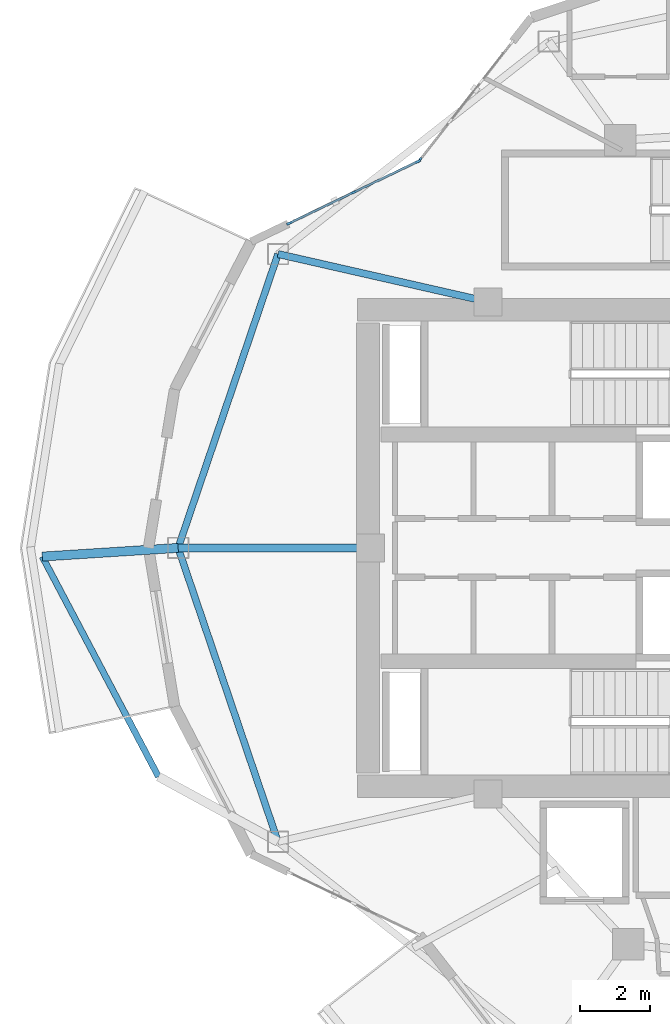
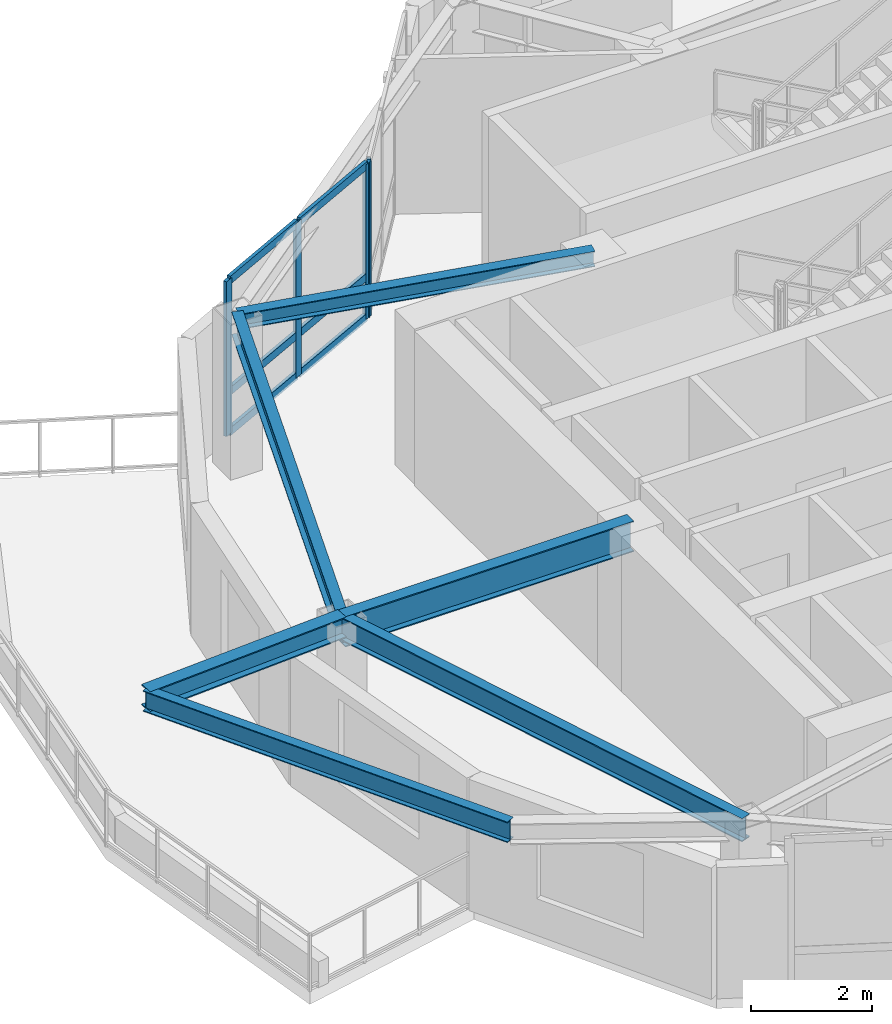
# One storey, part 3 of 13: 10 members, 6 beams, 2 elements without a shape of their own.
"""IFC4 building model written with IfcOpenShell, lengths in metres."""

from ifc_helpers import new_model, si_unit, direction, frame, origin, origin_2d, place, context, subcontext, project, spatial, rectangle, i_section, extrude, material, layer, layer_set, material_profile, profile_set, type_object, element, aggregate, save


model = new_model("IFC4")

# Units and contexts
model_context = context("Model", 3, precision=1e-05, world=origin(), true_north=direction((0.0, 1.0)))
body_context = subcontext(model_context, "Body", "Model", "MODEL_VIEW")
ifc_project = project(units=[si_unit("LENGTHUNIT", "METRE"), si_unit("AREAUNIT", "SQUARE_METRE"), si_unit("VOLUMEUNIT", "CUBIC_METRE"), si_unit("PLANEANGLEUNIT", "RADIAN"), si_unit("MASSUNIT", "GRAM", prefix="KILO")], contexts=[model_context])

# Site, building, storey
site_placement = place(None, origin())
site = spatial("IfcSite", under=ifc_project, at=site_placement, CompositionType="ELEMENT")
building_placement = place(site_placement, origin())
building = spatial("IfcBuilding", under=site, at=building_placement, Name="Kolvaren Gate Tower and Convention Centre", CompositionType="ELEMENT")
storey_placement = place(building_placement, frame((0.0, 0.0, 156.300048828125)))
storey = spatial("IfcBuildingStorey", under=building, at=storey_placement, Name="L40", CompositionType="ELEMENT", Elevation=156.300048828125)

# Curtain wall, member
ifc_material_1 = material(Name="Anodized Architectural Aluminium Alloy 6063-T6", Category="aluminium")
ifc_layer = layer(ifc_material_1, 0.159912109375)
ifc_layer_set = layer_set([ifc_layer], Name="Anodized Architectural Aluminium Alloy 6063-T6")
curtain_wall_type = type_object("IfcCurtainWallType", Name="CW-HTL-UNIT", PredefinedType="NOTDEFINED", material=ifc_layer_set)
curtain_wall_1_placement = place(storey_placement, origin())
curtain_wall_1 = element("IfcCurtainWall", 1, at=curtain_wall_1_placement, inside=storey, type_object=curtain_wall_type, Name="Tower L40 Unitised Curtain Wall CW-HTL-UNIT Bay 08", PredefinedType="NOTDEFINED")
ifc_material_profile_1 = material_profile(ifc_material_1, rectangle(XDim=0.06494140625, YDim=0.159912109375, at=origin_2d()), Name="CW-MEM-MUL-160")
ifc_profile_set_1 = profile_set([ifc_material_profile_1], Name="Anodized Architectural Aluminium Alloy 6063-T6")
member_type_1 = type_object("IfcMemberType", Name="CW-MEM-MUL-160", PredefinedType="MULLION", material=ifc_profile_set_1)
member_1_placement = place(storey_placement, frame((15.95654296875, 38.111572265625, 0.0), z_axis=(0.0, 0.0, 1.0), x_axis=(-0.787394793807, 0.616449056034, 0.0)))
member_1 = element("IfcMember", 2, at=member_1_placement, type_object=member_type_1, Name="CW-03 mullion 1", PredefinedType="MULLION", context=body_context, shape_type="SweptSolid", body=[
    extrude(rectangle(XDim=0.06494140625, YDim=0.159912109375, at=origin_2d()), origin(), (0.0, 0.0, 1.0), 3.1298828125),
])
aggregate(curtain_wall_1, [member_1])

# Curtain wall, members
curtain_wall_2_placement = place(storey_placement, origin())
curtain_wall_2 = element("IfcCurtainWall", 3, at=curtain_wall_2_placement, inside=storey, type_object=curtain_wall_type, Name="Tower L40 Unitised Curtain Wall CW-HTL-UNIT Bay 09", PredefinedType="NOTDEFINED")
member_2_placement = place(storey_placement, frame((12.220458984375, 36.300537109375, 0.0), z_axis=(0.0, 0.0, 1.0), x_axis=(-0.433065112035, 0.901362639973, 0.0)))
member_2 = element("IfcMember", 4, at=member_2_placement, type_object=member_type_1, Name="CW-03 mullion 1", PredefinedType="MULLION", context=body_context, shape_type="SweptSolid", body=[
    extrude(rectangle(XDim=0.06494140625, YDim=0.159912109375, at=origin_2d()), origin(), (0.0, 0.0, 1.0), 3.1298828125),
])
member_3_placement = place(storey_placement, frame((14.063720703125, 37.186279296875, 0.0), z_axis=(0.0, 0.0, 1.0), x_axis=(-0.433065112035, 0.901362639973, 0.0)))
member_3 = element("IfcMember", 5, at=member_3_placement, type_object=member_type_1, Name="CW-03 mullion 2", PredefinedType="MULLION", context=body_context, shape_type="SweptSolid", body=[
    extrude(rectangle(XDim=0.06494140625, YDim=0.159912109375, at=origin_2d()), origin(), (0.0, 0.0, 1.0), 3.1298828125),
])
member_4_placement = place(storey_placement, frame((15.9072265625, 38.072021484375, 0.0), z_axis=(0.0, 0.0, 1.0), x_axis=(-0.433065112035, 0.901362639973, 0.0)))
member_4 = element("IfcMember", 6, at=member_4_placement, type_object=member_type_1, Name="CW-03 mullion 3", PredefinedType="MULLION", context=body_context, shape_type="SweptSolid", body=[
    extrude(rectangle(XDim=0.06494140625, YDim=0.159912109375, at=origin_2d()), origin(), (0.0, 0.0, 1.0), 3.1298828125),
])
ifc_material_profile_2 = material_profile(ifc_material_1, rectangle(XDim=0.06494140625, YDim=0.159912109375, at=origin_2d()), Name="CW-MEM-TRN-160")
ifc_profile_set_2 = profile_set([ifc_material_profile_2], Name="Anodized Architectural Aluminium Alloy 6063-T6")
member_type_2 = type_object("IfcMemberType", Name="CW-MEM-TRN-160", PredefinedType="USERDEFINED", material=ifc_profile_set_2)
member_5_placement = place(storey_placement, frame((12.249755859375, 36.314697265625, 0.032470703125), z_axis=(0.901369067985, 0.433051732799, 0.0), x_axis=(-0.433051732799, 0.901369067985, 0.0)))
member_5 = element("IfcMember", 7, at=member_5_placement, type_object=member_type_2, Name="CW-03 transom 1.1", ObjectType="TRANSOM", PredefinedType="USERDEFINED", context=body_context, shape_type="SweptSolid", body=[
    extrude(rectangle(XDim=0.06494140625, YDim=0.159912109375, at=origin_2d()), origin(), (0.0, 0.0, 1.0), 1.97998046875),
])
member_6_placement = place(storey_placement, frame((12.249755859375, 36.314697265625, 0.849853515625), z_axis=(0.901369067985, 0.433051732799, 0.0), x_axis=(-0.433051732799, 0.901369067985, 0.0)))
member_6 = element("IfcMember", 8, at=member_6_placement, type_object=member_type_2, Name="CW-03 transom 1.2", ObjectType="TRANSOM", PredefinedType="USERDEFINED", context=body_context, shape_type="SweptSolid", body=[
    extrude(rectangle(XDim=0.06494140625, YDim=0.159912109375, at=origin_2d()), origin(), (0.0, 0.0, 1.0), 1.97998046875),
])
member_7_placement = place(storey_placement, frame((12.249755859375, 36.314697265625, 3.097412109375), z_axis=(0.901369067985, 0.433051732799, 0.0), x_axis=(-0.433051732799, 0.901369067985, 0.0)))
member_7 = element("IfcMember", 9, at=member_7_placement, type_object=member_type_2, Name="CW-03 transom 1.3", ObjectType="TRANSOM", PredefinedType="USERDEFINED", context=body_context, shape_type="SweptSolid", body=[
    extrude(rectangle(XDim=0.06494140625, YDim=0.159912109375, at=origin_2d()), origin(), (0.0, 0.0, 1.0), 1.97998046875),
])
member_8_placement = place(storey_placement, frame((14.093017578125, 37.200439453125, 0.032470703125), z_axis=(0.90139218823, 0.433003606218, 0.0), x_axis=(-0.433003606218, 0.90139218823, 0.0)))
member_8 = element("IfcMember", 10, at=member_8_placement, type_object=member_type_2, Name="CW-03 transom 2.1", ObjectType="TRANSOM", PredefinedType="USERDEFINED", context=body_context, shape_type="SweptSolid", body=[
    extrude(rectangle(XDim=0.06494140625, YDim=0.159912109375, at=origin_2d()), origin(), (0.0, 0.0, 1.0), 1.980224609375),
])
member_9_placement = place(storey_placement, frame((14.093017578125, 37.200439453125, 0.849853515625), z_axis=(0.90139218823, 0.433003606218, 0.0), x_axis=(-0.433003606218, 0.90139218823, 0.0)))
member_9 = element("IfcMember", 11, at=member_9_placement, type_object=member_type_2, Name="CW-03 transom 2.2", ObjectType="TRANSOM", PredefinedType="USERDEFINED", context=body_context, shape_type="SweptSolid", body=[
    extrude(rectangle(XDim=0.06494140625, YDim=0.159912109375, at=origin_2d()), origin(), (0.0, 0.0, 1.0), 1.980224609375),
])
member_10_placement = place(storey_placement, frame((14.093017578125, 37.200439453125, 3.097412109375), z_axis=(0.90139218823, 0.433003606218, 0.0), x_axis=(-0.433003606218, 0.90139218823, 0.0)))
member_10 = element("IfcMember", 12, at=member_10_placement, type_object=member_type_2, Name="CW-03 transom 2.3", ObjectType="TRANSOM", PredefinedType="USERDEFINED", context=body_context, shape_type="SweptSolid", body=[
    extrude(rectangle(XDim=0.06494140625, YDim=0.159912109375, at=origin_2d()), origin(), (0.0, 0.0, 1.0), 1.980224609375),
])
aggregate(curtain_wall_2, [member_2, member_3, member_4, member_5, member_6, member_7, member_8, member_9, member_10])

# Beams
ifc_material_2 = material(Name="Structural steel ASTM A992 Grade 345 MPa", Category="steel")
ifc_material_profile_3 = material_profile(ifc_material_2, i_section(OverallWidth=0.260009765625, OverallDepth=0.419921875, WebThickness=0.013427734375, FlangeThickness=0.0224609375, at=origin_2d()), Name="W410X132")
ifc_profile_set_3 = profile_set([ifc_material_profile_3], Name="Structural steel ASTM A992 Grade 345 MPa")
beam_type_1 = type_object("IfcBeamType", Name="STR-BM-W410X132", PredefinedType="BEAM", material=ifc_profile_set_3)
beam_1_placement = place(storey_placement, frame((9.03759765625, 27.0, 2.92041015625), z_axis=(-0.997967389097, -0.063726684362, 0.0), x_axis=(0.063726684362, -0.997967389097, 0.0)))
element("IfcBeam", 13, at=beam_1_placement, inside=storey, type_object=beam_type_1, Name="Tower L41 Planted Balcony Outrigger Cantilever BC-2A", PredefinedType="BEAM", context=body_context, shape_type="SweptSolid", body=[
    extrude(i_section(OverallWidth=0.260009765625, OverallDepth=0.419921875, WebThickness=0.013427734375, FlangeThickness=0.0224609375, at=origin_2d()), origin(), (0.0, 0.0, 1.0), 3.89990234375),
])
ifc_material_profile_4 = material_profile(ifc_material_2, i_section(OverallWidth=0.22998046875, OverallDepth=0.616943359375, WebThickness=0.01318359375, FlangeThickness=0.022216796875, at=origin_2d()), Name="W610X140")
ifc_profile_set_4 = profile_set([ifc_material_profile_4], Name="Structural steel ASTM A992 Grade 345 MPa")
beam_type_2 = type_object("IfcBeamType", Name="STR-BM-W610X140", PredefinedType="BEAM", material=ifc_profile_set_4)
beam_2_placement = place(storey_placement, frame((14.550048828125, 27.0, 2.821533203125), z_axis=(-1.0, 0.0, 0.0), x_axis=(0.0, -1.0, 0.0)))
element("IfcBeam", 14, at=beam_2_placement, inside=storey, type_object=beam_type_2, Name="Tower L40 Radial Floor Girder RB-07", PredefinedType="BEAM", context=body_context, shape_type="SweptSolid", body=[
    extrude(i_section(OverallWidth=0.22998046875, OverallDepth=0.616943359375, WebThickness=0.01318359375, FlangeThickness=0.022216796875, at=origin_2d()), origin(), (0.0, 0.0, 1.0), 5.512451171875),
])
ifc_material_profile_5 = material_profile(ifc_material_2, i_section(OverallWidth=0.205078125, OverallDepth=0.31005859375, WebThickness=0.009521484375, FlangeThickness=0.016357421875, at=origin_2d()), Name="W310X74")
ifc_profile_set_5 = profile_set([ifc_material_profile_5], Name="Structural steel ASTM A992 Grade 345 MPa")
beam_type_3 = type_object("IfcBeamType", Name="STR-JS-W310X74", PredefinedType="JOIST", material=ifc_profile_set_5)
beam_3_placement = place(storey_placement, frame((17.9140625, 34.050048828125, 2.974853515625), z_axis=(-0.975083464295, 0.221838314226, 0.0), x_axis=(-0.221838314226, -0.975083464295, 0.0)))
element("IfcBeam", 15, at=beam_3_placement, inside=storey, type_object=beam_type_3, Name="Tower L40 Radial Floor Girder RB-06", PredefinedType="JOIST", context=body_context, shape_type="SweptSolid", body=[
    extrude(i_section(OverallWidth=0.205078125, OverallDepth=0.31005859375, WebThickness=0.009521484375, FlangeThickness=0.016357421875, at=origin_2d()), origin(), (0.0, 0.0, 1.0), 6.169677734375),
])
ifc_material_profile_6 = material_profile(ifc_material_2, i_section(OverallWidth=0.180908203125, OverallDepth=0.4169921875, WebThickness=0.010986328125, FlangeThickness=0.018310546875, at=origin_2d()), Name="W410X85")
ifc_profile_set_6 = profile_set([ifc_material_profile_6], Name="Structural steel ASTM A992 Grade 345 MPa")
beam_type_4 = type_object("IfcBeamType", Name="STR-SP-W410X85", PredefinedType="SPANDREL", material=ifc_profile_set_6)
beam_4_placement = place(storey_placement, frame((5.1455078125, 26.75146484375, 2.921875), z_axis=(0.466803260322, -0.884361191003, 0.0), x_axis=(0.884361191003, 0.466803260322, 0.0)))
element("IfcBeam", 16, at=beam_4_placement, inside=storey, type_object=beam_type_4, Name="Tower L41 Planted Balcony Header Tie Beam BT-2", PredefinedType="SPANDREL", context=body_context, shape_type="SweptSolid", body=[
    extrude(i_section(OverallWidth=0.180908203125, OverallDepth=0.4169921875, WebThickness=0.010986328125, FlangeThickness=0.018310546875, at=origin_2d()), origin(), (0.0, 0.0, 1.0), 7.129150390625),
])
ifc_material_profile_7 = material_profile(ifc_material_2, i_section(OverallWidth=0.194091796875, OverallDepth=0.468994140625, WebThickness=0.0126953125, FlangeThickness=0.0205078125, at=origin_2d()), Name="W460X106")
ifc_profile_set_7 = profile_set([ifc_material_profile_7], Name="Structural steel ASTM A992 Grade 345 MPa")
beam_type_5 = type_object("IfcBeamType", Name="STR-SP-W460X106", PredefinedType="SPANDREL", material=ifc_profile_set_7)
for number, where, z_axis, x_axis, name in (
    (17, (11.898193359375, 35.418701171875, 2.8955078125), (-0.321725023609, -0.946833147489, 0.0), (0.946833147489, -0.321725023609, 0.0), "Tower L40 Perimeter Spandrel Beam SP-06"),
    (18, (9.03759765625, 27.0, 2.8955078125), (0.321725023609, -0.946833147489, 0.0), (0.946833147489, 0.321725023609, 0.0), "Tower L40 Perimeter Spandrel Beam SP-07"),
):
    element("IfcBeam", number, at=place(storey_placement, frame(where, z_axis=z_axis, x_axis=x_axis)), inside=storey, type_object=beam_type_5, Name=name, PredefinedType="SPANDREL", context=body_context, shape_type="SweptSolid", body=[
        extrude(i_section(OverallWidth=0.194091796875, OverallDepth=0.468994140625, WebThickness=0.0126953125, FlangeThickness=0.0205078125, at=origin_2d()), origin(), (0.0, 0.0, 1.0), 8.891357421875),
    ])

save(model, "model.ifc")
